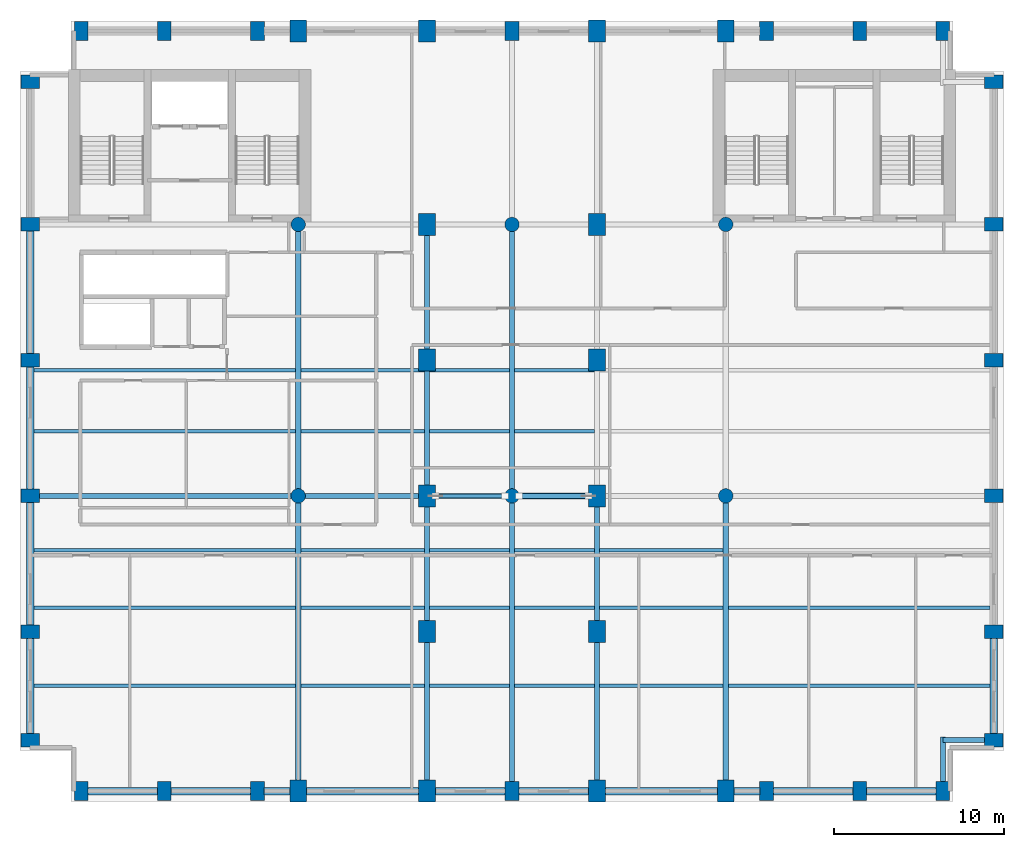
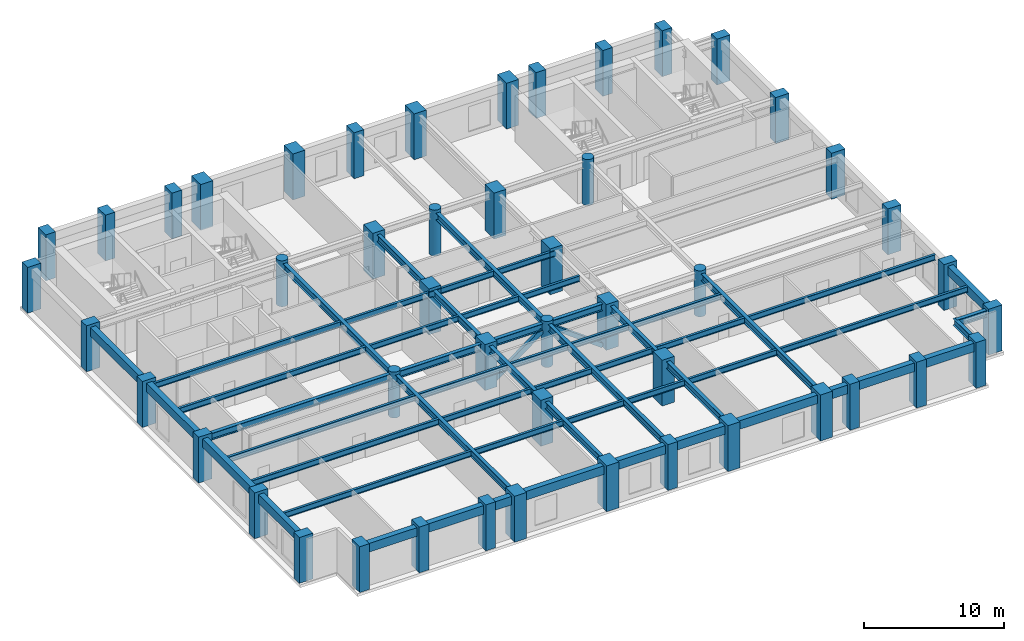
# One storey, part 1 of 10: 54 beams, 48 columns, 2 members.
"""IFC4 building model written with IfcOpenShell, lengths in metres."""

from ifc_helpers import new_model, si_unit, direction, frame, origin, origin_2d, place, context, subcontext, project, spatial, rectangle, hollow_rectangle, circle, i_section, extrude, material, material_profile, profile_set, type_object, element, save


model = new_model("IFC4")

# Units and contexts
model_context = context("Model", 3, precision=1e-05, world=origin(), true_north=direction((0.0, 1.0)))
body_context = subcontext(model_context, "Body", "Model", "MODEL_VIEW")
ifc_project = project(units=[si_unit("LENGTHUNIT", "METRE"), si_unit("AREAUNIT", "SQUARE_METRE"), si_unit("VOLUMEUNIT", "CUBIC_METRE"), si_unit("PLANEANGLEUNIT", "RADIAN"), si_unit("MASSUNIT", "GRAM", prefix="KILO")], contexts=[model_context])

# Site, building, storey
site_placement = place(None, origin())
site = spatial("IfcSite", under=ifc_project, at=site_placement, CompositionType="ELEMENT")
building_placement = place(site_placement, origin())
building = spatial("IfcBuilding", under=site, at=building_placement, Name="Sulina Concourse Tower", CompositionType="ELEMENT")
storey_placement = place(building_placement, frame((0.0, 0.0, 206.60009765625)))
storey = spatial("IfcBuildingStorey", under=building, at=storey_placement, Name="L50", CompositionType="ELEMENT", Elevation=206.60009765625)

# Columns
ifc_material_1 = material(Name="Precast concrete C60/75", Category="concrete")
ifc_material_profile_1 = material_profile(ifc_material_1, rectangle(XDim=0.800048828125, YDim=1.10009765625, at=origin_2d()), Name="PC 800x1100")
ifc_profile_set_1 = profile_set([ifc_material_profile_1], Name="Precast concrete C60/75")
column_type_1 = type_object("IfcColumnType", Name="Precast Tube Pier Zone 3 800x1100", PredefinedType="COLUMN", material=ifc_profile_set_1)
for number, where, z_axis, x_axis, name in (
    (1, (3.60009765625, 0.60009765625, 0.0), (0.0, 0.0, 1.0), (1.0, 0.0, 0.0), "L50 structural column TP-S-36"),
    (2, (3.60009765625, 45.39990234375, 0.0), (0.0, 0.0, 1.0), (1.0, 0.0, 0.0), "L50 structural column TP-N-36"),
    (3, (8.5, 0.60009765625, 0.0), (0.0, 0.0, 1.0), (1.0, 0.0, 0.0), "L50 structural column TP-S-85"),
    (4, (8.5, 45.39990234375, 0.0), (0.0, 0.0, 1.0), (1.0, 0.0, 0.0), "L50 structural column TP-N-85"),
    (5, (14.0, 0.60009765625, 0.0), (0.0, 0.0, 1.0), (1.0, 0.0, 0.0), "L50 structural column TP-S-140"),
    (6, (14.0, 45.39990234375, 0.0), (0.0, 0.0, 1.0), (1.0, 0.0, 0.0), "L50 structural column TP-N-140"),
    (7, (29.0, 0.60009765625, 0.0), (0.0, 0.0, 1.0), (1.0, 0.0, 0.0), "L50 structural column TP-S-290"),
    (8, (29.0, 45.39990234375, 0.0), (0.0, 0.0, 1.0), (1.0, 0.0, 0.0), "L50 structural column TP-N-290"),
    (9, (44.0, 0.60009765625, 0.0), (0.0, 0.0, 1.0), (1.0, 0.0, 0.0), "L50 structural column TP-S-440"),
    (10, (44.0, 45.39990234375, 0.0), (0.0, 0.0, 1.0), (1.0, 0.0, 0.0), "L50 structural column TP-N-440"),
    (11, (49.5, 0.60009765625, 0.0), (0.0, 0.0, 1.0), (1.0, 0.0, 0.0), "L50 structural column TP-S-495"),
    (12, (49.5, 45.39990234375, 0.0), (0.0, 0.0, 1.0), (1.0, 0.0, 0.0), "L50 structural column TP-N-495"),
    (13, (54.39990234375, 0.60009765625, 0.0), (0.0, 0.0, 1.0), (1.0, 0.0, 0.0), "L50 structural column TP-S-544"),
    (14, (54.39990234375, 45.39990234375, 0.0), (0.0, 0.0, 1.0), (1.0, 0.0, 0.0), "L50 structural column TP-N-544"),
    (15, (0.60009765625, 3.60009765625, 0.0), (0.0, 0.0, 1.0), (0.0, 1.0, 0.0), "L50 structural column TP-W-36"),
    (16, (57.39990234375, 3.60009765625, 0.0), (0.0, 0.0, 1.0), (0.0, 1.0, 0.0), "L50 structural column TP-E-36"),
    (17, (0.60009765625, 10.0, 0.0), (0.0, 0.0, 1.0), (0.0, 1.0, 0.0), "L50 structural column TP-W-100"),
    (18, (57.39990234375, 10.0, 0.0), (0.0, 0.0, 1.0), (0.0, 1.0, 0.0), "L50 structural column TP-E-100"),
    (19, (0.60009765625, 18.0, 0.0), (0.0, 0.0, 1.0), (0.0, 1.0, 0.0), "L50 structural column TP-W-180"),
    (20, (57.39990234375, 18.0, 0.0), (0.0, 0.0, 1.0), (0.0, 1.0, 0.0), "L50 structural column TP-E-180"),
    (21, (0.60009765625, 26.0, 0.0), (0.0, 0.0, 1.0), (0.0, 1.0, 0.0), "L50 structural column TP-W-260"),
    (22, (57.39990234375, 26.0, 0.0), (0.0, 0.0, 1.0), (0.0, 1.0, 0.0), "L50 structural column TP-E-260"),
    (23, (0.60009765625, 34.0, 0.0), (0.0, 0.0, 1.0), (0.0, 1.0, 0.0), "L50 structural column TP-W-340"),
    (24, (57.39990234375, 34.0, 0.0), (0.0, 0.0, 1.0), (0.0, 1.0, 0.0), "L50 structural column TP-E-340"),
    (25, (0.60009765625, 42.39990234375, 0.0), (0.0, 0.0, 1.0), (0.0, 1.0, 0.0), "L50 structural column TP-W-424"),
    (26, (57.39990234375, 42.39990234375, 0.0), (0.0, 0.0, 1.0), (0.0, 1.0, 0.0), "L50 structural column TP-E-424"),
):
    element("IfcColumn", number, at=place(storey_placement, frame(where, z_axis=z_axis, x_axis=x_axis)), inside=storey, type_object=column_type_1, Name=name, PredefinedType="COLUMN", context=body_context, shape_type="SweptSolid", body=[
        extrude(rectangle(XDim=0.800048828125, YDim=1.10009765625, at=origin_2d()), origin(), (0.0, 0.0, 1.0), 4.0),
    ])
ifc_material_2 = material(Name="Concrete C50/60", Category="concrete")
ifc_material_profile_2 = material_profile(ifc_material_2, circle(Radius=0.425048828125, at=origin_2d()), Name="RC D850")
ifc_profile_set_2 = profile_set([ifc_material_profile_2], Name="Concrete C50/60")
column_type_2 = type_object("IfcColumnType", Name="Upper Interior Circular Column D850", PredefinedType="COLUMN", material=ifc_profile_set_2)
for number, where, z_axis, x_axis, name in (
    (27, (16.39990234375, 18.0, 0.0), (0.0, 0.0, 1.0), (1.0, 0.0, 0.0), "L50 structural column IC-M-164"),
    (28, (16.39990234375, 34.0, 0.0), (0.0, 0.0, 1.0), (1.0, 0.0, 0.0), "L50 structural column IC-N-164"),
    (29, (29.0, 18.0, 0.0), (0.0, 0.0, 1.0), (1.0, 0.0, 0.0), "L50 structural column IC-M-290"),
    (30, (29.0, 34.0, 0.0), (0.0, 0.0, 1.0), (1.0, 0.0, 0.0), "L50 structural column IC-N-290"),
    (31, (41.60009765625, 18.0, 0.0), (0.0, 0.0, 1.0), (1.0, 0.0, 0.0), "L50 structural column IC-M-416"),
    (32, (41.60009765625, 34.0, 0.0), (0.0, 0.0, 1.0), (1.0, 0.0, 0.0), "L50 structural column IC-N-416"),
):
    element("IfcColumn", number, at=place(storey_placement, frame(where, z_axis=z_axis, x_axis=x_axis)), inside=storey, type_object=column_type_2, Name=name, PredefinedType="COLUMN", context=body_context, shape_type="SweptSolid", body=[
        extrude(circle(Radius=0.425048828125, at=origin_2d()), origin(), (0.0, 0.0, 1.0), 4.0),
    ])
ifc_material_3 = material(Name="Concrete C60/75", Category="concrete")
ifc_material_profile_3 = material_profile(ifc_material_3, rectangle(XDim=1.0, YDim=1.300048828125, at=origin_2d()), Name="RC 1000x1300")
ifc_profile_set_3 = profile_set([ifc_material_profile_3], Name="Concrete C60/75")
column_type_3 = type_object("IfcColumnType", Name="Upper Portal Column 1000x1300", PredefinedType="COLUMN", material=ifc_profile_set_3)
for number, where, z_axis, x_axis, name in (
    (33, (16.39990234375, 0.60009765625, 0.0), (0.0, 0.0, 1.0), (1.0, 0.0, 0.0), "L50 structural column TP-S-164"),
    (34, (16.39990234375, 45.39990234375, 0.0), (0.0, 0.0, 1.0), (1.0, 0.0, 0.0), "L50 structural column TP-N-164"),
    (35, (24.0, 0.60009765625, 0.0), (0.0, 0.0, 1.0), (1.0, 0.0, 0.0), "L50 structural column TP-S-240"),
    (36, (24.0, 45.39990234375, 0.0), (0.0, 0.0, 1.0), (1.0, 0.0, 0.0), "L50 structural column TP-N-240"),
    (37, (34.0, 0.60009765625, 0.0), (0.0, 0.0, 1.0), (1.0, 0.0, 0.0), "L50 structural column TP-S-340"),
    (38, (34.0, 45.39990234375, 0.0), (0.0, 0.0, 1.0), (1.0, 0.0, 0.0), "L50 structural column TP-N-340"),
    (39, (41.60009765625, 0.60009765625, 0.0), (0.0, 0.0, 1.0), (1.0, 0.0, 0.0), "L50 structural column TP-S-416"),
    (40, (41.60009765625, 45.39990234375, 0.0), (0.0, 0.0, 1.0), (1.0, 0.0, 0.0), "L50 structural column TP-N-416"),
    (41, (24.0, 10.0, 0.0), (0.0, 0.0, 1.0), (1.0, 0.0, 0.0), "L50 structural column UP-FW-10"),
    (42, (34.0, 10.0, 0.0), (0.0, 0.0, 1.0), (1.0, 0.0, 0.0), "L50 structural column UP-FE-10"),
    (43, (24.0, 18.0, 0.0), (0.0, 0.0, 1.0), (1.0, 0.0, 0.0), "L50 structural column UP-FW-18"),
    (44, (34.0, 18.0, 0.0), (0.0, 0.0, 1.0), (1.0, 0.0, 0.0), "L50 structural column UP-FE-18"),
    (45, (24.0, 26.0, 0.0), (0.0, 0.0, 1.0), (1.0, 0.0, 0.0), "L50 structural column UP-FW-26"),
    (46, (34.0, 26.0, 0.0), (0.0, 0.0, 1.0), (1.0, 0.0, 0.0), "L50 structural column UP-FE-26"),
    (47, (24.0, 34.0, 0.0), (0.0, 0.0, 1.0), (1.0, 0.0, 0.0), "L50 structural column UP-FW-34"),
    (48, (34.0, 34.0, 0.0), (0.0, 0.0, 1.0), (1.0, 0.0, 0.0), "L50 structural column UP-FE-34"),
):
    element("IfcColumn", number, at=place(storey_placement, frame(where, z_axis=z_axis, x_axis=x_axis)), inside=storey, type_object=column_type_3, Name=name, PredefinedType="COLUMN", context=body_context, shape_type="SweptSolid", body=[
        extrude(rectangle(XDim=1.0, YDim=1.300048828125, at=origin_2d()), origin(), (0.0, 0.0, 1.0), 4.0),
    ])

# Beams
ifc_material_4 = material(Name="Steel S355", Category="steel")
ifc_material_profile_4 = material_profile(ifc_material_4, i_section(OverallWidth=0.199951171875, OverallDepth=0.5, WebThickness=0.01025390625, FlangeThickness=0.01611328125, at=origin_2d()), Name="IPE 500")
ifc_profile_set_4 = profile_set([ifc_material_profile_4], Name="Steel S355")
beam_type_1 = type_object("IfcBeamType", Name="Composite Floor Joist IPE500", PredefinedType="JOIST", material=ifc_profile_set_4)
beam_1_placement = place(storey_placement, frame((0.824951171875, 6.800048828125, 3.5), z_axis=(1.0, 0.0, 0.0), x_axis=(0.0, 1.0, 0.0)))
element("IfcBeam", 49, at=beam_1_placement, inside=storey, type_object=beam_type_1, Name="FJ-J06-1-L50", PredefinedType="JOIST", context=body_context, shape_type="SweptSolid", body=[
    extrude(i_section(OverallWidth=0.199951171875, OverallDepth=0.5, WebThickness=0.01025390625, FlangeThickness=0.01611328125, at=origin_2d()), origin(), (0.0, 0.0, 1.0), 15.425048828125),
])
beam_2_placement = place(storey_placement, frame((16.550048828125, 6.800048828125, 3.5), z_axis=(1.0, 0.0, 0.0), x_axis=(0.0, 1.0, 0.0)))
element("IfcBeam", 50, at=beam_2_placement, inside=storey, type_object=beam_type_1, Name="FJ-J06-2-L50", PredefinedType="JOIST", context=body_context, shape_type="SweptSolid", body=[
    extrude(i_section(OverallWidth=0.199951171875, OverallDepth=0.5, WebThickness=0.01025390625, FlangeThickness=0.01611328125, at=origin_2d()), origin(), (0.0, 0.0, 1.0), 7.300048828125),
])
for number, where, z_axis, x_axis, name in (
    (51, (24.14990234375, 6.800048828125, 3.5), (1.0, 0.0, 0.0), (0.0, 1.0, 0.0), "FJ-J06-3-L50"),
    (52, (29.14990234375, 6.800048828125, 3.5), (1.0, 0.0, 0.0), (0.0, 1.0, 0.0), "FJ-J06-4-L50"),
):
    element("IfcBeam", number, at=place(storey_placement, frame(where, z_axis=z_axis, x_axis=x_axis)), inside=storey, type_object=beam_type_1, Name=name, PredefinedType="JOIST", context=body_context, shape_type="SweptSolid", body=[
        extrude(i_section(OverallWidth=0.199951171875, OverallDepth=0.5, WebThickness=0.01025390625, FlangeThickness=0.01611328125, at=origin_2d()), origin(), (0.0, 0.0, 1.0), 4.7001953125),
    ])
beam_3_placement = place(storey_placement, frame((34.14990234375, 6.800048828125, 3.5), z_axis=(1.0, 0.0, 0.0), x_axis=(0.0, 1.0, 0.0)))
element("IfcBeam", 53, at=beam_3_placement, inside=storey, type_object=beam_type_1, Name="FJ-J06-5-L50", PredefinedType="JOIST", context=body_context, shape_type="SweptSolid", body=[
    extrude(i_section(OverallWidth=0.199951171875, OverallDepth=0.5, WebThickness=0.01025390625, FlangeThickness=0.01611328125, at=origin_2d()), origin(), (0.0, 0.0, 1.0), 7.300048828125),
])
for number, where, z_axis, x_axis, name in (
    (54, (41.75, 6.800048828125, 3.5), (1.0, 0.0, 0.0), (0.0, 1.0, 0.0), "FJ-J06-6-L50"),
    (55, (0.824951171875, 11.39990234375, 3.5), (1.0, 0.0, 0.0), (0.0, 1.0, 0.0), "FJ-J11-1-L50"),
):
    element("IfcBeam", number, at=place(storey_placement, frame(where, z_axis=z_axis, x_axis=x_axis)), inside=storey, type_object=beam_type_1, Name=name, PredefinedType="JOIST", context=body_context, shape_type="SweptSolid", body=[
        extrude(i_section(OverallWidth=0.199951171875, OverallDepth=0.5, WebThickness=0.01025390625, FlangeThickness=0.01611328125, at=origin_2d()), origin(), (0.0, 0.0, 1.0), 15.425048828125),
    ])
beam_4_placement = place(storey_placement, frame((16.550048828125, 11.39990234375, 3.5), z_axis=(1.0, 0.0, 0.0), x_axis=(0.0, 1.0, 0.0)))
element("IfcBeam", 56, at=beam_4_placement, inside=storey, type_object=beam_type_1, Name="FJ-J11-2-L50", PredefinedType="JOIST", context=body_context, shape_type="SweptSolid", body=[
    extrude(i_section(OverallWidth=0.199951171875, OverallDepth=0.5, WebThickness=0.01025390625, FlangeThickness=0.01611328125, at=origin_2d()), origin(), (0.0, 0.0, 1.0), 7.300048828125),
])
for number, where, z_axis, x_axis, name in (
    (57, (24.14990234375, 11.39990234375, 3.5), (1.0, 0.0, 0.0), (0.0, 1.0, 0.0), "FJ-J11-3-L50"),
    (58, (29.14990234375, 11.39990234375, 3.5), (1.0, 0.0, 0.0), (0.0, 1.0, 0.0), "FJ-J11-4-L50"),
):
    element("IfcBeam", number, at=place(storey_placement, frame(where, z_axis=z_axis, x_axis=x_axis)), inside=storey, type_object=beam_type_1, Name=name, PredefinedType="JOIST", context=body_context, shape_type="SweptSolid", body=[
        extrude(i_section(OverallWidth=0.199951171875, OverallDepth=0.5, WebThickness=0.01025390625, FlangeThickness=0.01611328125, at=origin_2d()), origin(), (0.0, 0.0, 1.0), 4.7001953125),
    ])
beam_5_placement = place(storey_placement, frame((34.14990234375, 11.39990234375, 3.5), z_axis=(1.0, 0.0, 0.0), x_axis=(0.0, 1.0, 0.0)))
element("IfcBeam", 59, at=beam_5_placement, inside=storey, type_object=beam_type_1, Name="FJ-J11-5-L50", PredefinedType="JOIST", context=body_context, shape_type="SweptSolid", body=[
    extrude(i_section(OverallWidth=0.199951171875, OverallDepth=0.5, WebThickness=0.01025390625, FlangeThickness=0.01611328125, at=origin_2d()), origin(), (0.0, 0.0, 1.0), 7.300048828125),
])
for number, where, z_axis, x_axis, name in (
    (60, (41.75, 11.39990234375, 3.5), (1.0, 0.0, 0.0), (0.0, 1.0, 0.0), "FJ-J11-6-L50"),
    (61, (0.824951171875, 14.800048828125, 3.5), (1.0, 0.0, 0.0), (0.0, 1.0, 0.0), "FJ-J15-1-L50"),
):
    element("IfcBeam", number, at=place(storey_placement, frame(where, z_axis=z_axis, x_axis=x_axis)), inside=storey, type_object=beam_type_1, Name=name, PredefinedType="JOIST", context=body_context, shape_type="SweptSolid", body=[
        extrude(i_section(OverallWidth=0.199951171875, OverallDepth=0.5, WebThickness=0.01025390625, FlangeThickness=0.01611328125, at=origin_2d()), origin(), (0.0, 0.0, 1.0), 15.425048828125),
    ])
beam_6_placement = place(storey_placement, frame((16.550048828125, 14.800048828125, 3.5), z_axis=(1.0, 0.0, 0.0), x_axis=(0.0, 1.0, 0.0)))
element("IfcBeam", 62, at=beam_6_placement, inside=storey, type_object=beam_type_1, Name="FJ-J15-2-L50", PredefinedType="JOIST", context=body_context, shape_type="SweptSolid", body=[
    extrude(i_section(OverallWidth=0.199951171875, OverallDepth=0.5, WebThickness=0.01025390625, FlangeThickness=0.01611328125, at=origin_2d()), origin(), (0.0, 0.0, 1.0), 7.300048828125),
])
for number, where, z_axis, x_axis, name in (
    (63, (24.14990234375, 14.800048828125, 3.5), (1.0, 0.0, 0.0), (0.0, 1.0, 0.0), "FJ-J15-3-L50"),
    (64, (29.14990234375, 14.800048828125, 3.5), (1.0, 0.0, 0.0), (0.0, 1.0, 0.0), "FJ-J15-4-L50"),
):
    element("IfcBeam", number, at=place(storey_placement, frame(where, z_axis=z_axis, x_axis=x_axis)), inside=storey, type_object=beam_type_1, Name=name, PredefinedType="JOIST", context=body_context, shape_type="SweptSolid", body=[
        extrude(i_section(OverallWidth=0.199951171875, OverallDepth=0.5, WebThickness=0.01025390625, FlangeThickness=0.01611328125, at=origin_2d()), origin(), (0.0, 0.0, 1.0), 4.7001953125),
    ])
beam_7_placement = place(storey_placement, frame((34.14990234375, 14.800048828125, 3.5), z_axis=(1.0, 0.0, 0.0), x_axis=(0.0, 1.0, 0.0)))
element("IfcBeam", 65, at=beam_7_placement, inside=storey, type_object=beam_type_1, Name="FJ-J15-5-L50", PredefinedType="JOIST", context=body_context, shape_type="SweptSolid", body=[
    extrude(i_section(OverallWidth=0.199951171875, OverallDepth=0.5, WebThickness=0.01025390625, FlangeThickness=0.01611328125, at=origin_2d()), origin(), (0.0, 0.0, 1.0), 7.300048828125),
])
beam_8_placement = place(storey_placement, frame((0.824951171875, 21.800048828125, 3.5), z_axis=(1.0, 0.0, 0.0), x_axis=(0.0, 1.0, 0.0)))
element("IfcBeam", 66, at=beam_8_placement, inside=storey, type_object=beam_type_1, Name="FJ-J22-1-L50", PredefinedType="JOIST", context=body_context, shape_type="SweptSolid", body=[
    extrude(i_section(OverallWidth=0.199951171875, OverallDepth=0.5, WebThickness=0.01025390625, FlangeThickness=0.01611328125, at=origin_2d()), origin(), (0.0, 0.0, 1.0), 15.425048828125),
])
beam_9_placement = place(storey_placement, frame((16.550048828125, 21.800048828125, 3.5), z_axis=(1.0, 0.0, 0.0), x_axis=(0.0, 1.0, 0.0)))
element("IfcBeam", 67, at=beam_9_placement, inside=storey, type_object=beam_type_1, Name="FJ-J22-2-L50", PredefinedType="JOIST", context=body_context, shape_type="SweptSolid", body=[
    extrude(i_section(OverallWidth=0.199951171875, OverallDepth=0.5, WebThickness=0.01025390625, FlangeThickness=0.01611328125, at=origin_2d()), origin(), (0.0, 0.0, 1.0), 7.300048828125),
])
for number, where, z_axis, x_axis, name in (
    (68, (24.14990234375, 21.800048828125, 3.5), (1.0, 0.0, 0.0), (0.0, 1.0, 0.0), "FJ-J22-3-L50"),
    (69, (29.14990234375, 21.800048828125, 3.5), (1.0, 0.0, 0.0), (0.0, 1.0, 0.0), "FJ-J22-4-L50"),
):
    element("IfcBeam", number, at=place(storey_placement, frame(where, z_axis=z_axis, x_axis=x_axis)), inside=storey, type_object=beam_type_1, Name=name, PredefinedType="JOIST", context=body_context, shape_type="SweptSolid", body=[
        extrude(i_section(OverallWidth=0.199951171875, OverallDepth=0.5, WebThickness=0.01025390625, FlangeThickness=0.01611328125, at=origin_2d()), origin(), (0.0, 0.0, 1.0), 4.7001953125),
    ])
beam_10_placement = place(storey_placement, frame((0.824951171875, 25.39990234375, 3.5), z_axis=(1.0, 0.0, 0.0), x_axis=(0.0, 1.0, 0.0)))
element("IfcBeam", 70, at=beam_10_placement, inside=storey, type_object=beam_type_1, Name="FJ-J25-1-L50", PredefinedType="JOIST", context=body_context, shape_type="SweptSolid", body=[
    extrude(i_section(OverallWidth=0.199951171875, OverallDepth=0.5, WebThickness=0.01025390625, FlangeThickness=0.01611328125, at=origin_2d()), origin(), (0.0, 0.0, 1.0), 15.425048828125),
])
beam_11_placement = place(storey_placement, frame((16.550048828125, 25.39990234375, 3.5), z_axis=(1.0, 0.0, 0.0), x_axis=(0.0, 1.0, 0.0)))
element("IfcBeam", 71, at=beam_11_placement, inside=storey, type_object=beam_type_1, Name="FJ-J25-2-L50", PredefinedType="JOIST", context=body_context, shape_type="SweptSolid", body=[
    extrude(i_section(OverallWidth=0.199951171875, OverallDepth=0.5, WebThickness=0.01025390625, FlangeThickness=0.01611328125, at=origin_2d()), origin(), (0.0, 0.0, 1.0), 7.300048828125),
])
for number, where, z_axis, x_axis, name in (
    (72, (24.14990234375, 25.39990234375, 3.5), (1.0, 0.0, 0.0), (0.0, 1.0, 0.0), "FJ-J25-3-L50"),
    (73, (29.14990234375, 25.39990234375, 3.5), (1.0, 0.0, 0.0), (0.0, 1.0, 0.0), "FJ-J25-4-L50"),
):
    element("IfcBeam", number, at=place(storey_placement, frame(where, z_axis=z_axis, x_axis=x_axis)), inside=storey, type_object=beam_type_1, Name=name, PredefinedType="JOIST", context=body_context, shape_type="SweptSolid", body=[
        extrude(i_section(OverallWidth=0.199951171875, OverallDepth=0.5, WebThickness=0.01025390625, FlangeThickness=0.01611328125, at=origin_2d()), origin(), (0.0, 0.0, 1.0), 4.7001953125),
    ])
ifc_material_5 = material(Name="Steel S355", Category="steel")
ifc_material_profile_5 = material_profile(ifc_material_5, i_section(OverallWidth=0.300048828125, OverallDepth=0.60009765625, WebThickness=0.015380859375, FlangeThickness=0.030029296875, at=origin_2d()), Name="HE 600 B")
ifc_profile_set_5 = profile_set([ifc_material_profile_5], Name="Steel S355")
beam_type_2 = type_object("IfcBeamType", Name="Floor Primary Girder Zone 3 HE600B", PredefinedType="BEAM", material=ifc_profile_set_5)
beam_12_placement = place(storey_placement, frame((54.39990234375, 3.60009765625, 3.449951171875), z_axis=(1.0, 0.0, 0.0), x_axis=(0.0, 1.0, 0.0)))
element("IfcBeam", 74, at=beam_12_placement, inside=storey, type_object=beam_type_2, Name="TIE-SE-L50", PredefinedType="BEAM", context=body_context, shape_type="SweptSolid", body=[
    extrude(i_section(OverallWidth=0.300048828125, OverallDepth=0.60009765625, WebThickness=0.015380859375, FlangeThickness=0.030029296875, at=origin_2d()), origin(), (0.0, 0.0, 1.0), 2.6201171875),
])
beam_13_placement = place(storey_placement, frame((54.39990234375, 0.97998046875, 3.449951171875), z_axis=(0.0, 1.0, 0.0), x_axis=(-1.0, 0.0, 0.0)))
element("IfcBeam", 75, at=beam_13_placement, inside=storey, type_object=beam_type_2, Name="TIE-SES-L50", PredefinedType="BEAM", context=body_context, shape_type="SweptSolid", body=[
    extrude(i_section(OverallWidth=0.300048828125, OverallDepth=0.60009765625, WebThickness=0.015380859375, FlangeThickness=0.030029296875, at=origin_2d()), origin(), (0.0, 0.0, 1.0), 2.820068359375),
])
beam_14_placement = place(storey_placement, frame((0.97998046875, 18.0, 3.449951171875), z_axis=(1.0, 0.0, 0.0), x_axis=(0.0, 1.0, 0.0)))
element("IfcBeam", 76, at=beam_14_placement, inside=storey, type_object=beam_type_2, Name="FG-EW1-L50", PredefinedType="BEAM", context=body_context, shape_type="SweptSolid", body=[
    extrude(i_section(OverallWidth=0.300048828125, OverallDepth=0.60009765625, WebThickness=0.015380859375, FlangeThickness=0.030029296875, at=origin_2d()), origin(), (0.0, 0.0, 1.0), 15.01513671875),
])
beam_15_placement = place(storey_placement, frame((16.804931640625, 18.0, 3.449951171875), z_axis=(1.0, 0.0, 0.0), x_axis=(0.0, 1.0, 0.0)))
element("IfcBeam", 77, at=beam_15_placement, inside=storey, type_object=beam_type_2, Name="FG-EW2-L50", PredefinedType="BEAM", context=body_context, shape_type="SweptSolid", body=[
    extrude(i_section(OverallWidth=0.300048828125, OverallDepth=0.60009765625, WebThickness=0.015380859375, FlangeThickness=0.030029296875, at=origin_2d()), origin(), (0.0, 0.0, 1.0), 6.715087890625),
])
for number, where, z_axis, x_axis, name in (
    (78, (24.47998046875, 18.0, 3.449951171875), (1.0, 0.0, 0.0), (0.0, 1.0, 0.0), "FG-EW3-L50"),
    (79, (29.405029296875, 18.0, 3.449951171875), (1.0, 0.0, 0.0), (0.0, 1.0, 0.0), "FG-EW4-L50"),
):
    element("IfcBeam", number, at=place(storey_placement, frame(where, z_axis=z_axis, x_axis=x_axis)), inside=storey, type_object=beam_type_2, Name=name, PredefinedType="BEAM", context=body_context, shape_type="SweptSolid", body=[
        extrude(i_section(OverallWidth=0.300048828125, OverallDepth=0.60009765625, WebThickness=0.015380859375, FlangeThickness=0.030029296875, at=origin_2d()), origin(), (0.0, 0.0, 1.0), 4.114990234375),
    ])
beam_16_placement = place(storey_placement, frame((16.39990234375, 1.080078125, 3.449951171875), z_axis=(0.0, 1.0, 0.0), x_axis=(-1.0, 0.0, 0.0)))
element("IfcBeam", 80, at=beam_16_placement, inside=storey, type_object=beam_type_2, Name="FG-NSA-16-L50", PredefinedType="BEAM", context=body_context, shape_type="SweptSolid", body=[
    extrude(i_section(OverallWidth=0.300048828125, OverallDepth=0.60009765625, WebThickness=0.015380859375, FlangeThickness=0.030029296875, at=origin_2d()), origin(), (0.0, 0.0, 1.0), 16.514892578125),
])
beam_17_placement = place(storey_placement, frame((16.39990234375, 18.405029296875, 3.449951171875), z_axis=(0.0, 1.0, 0.0), x_axis=(-1.0, 0.0, 0.0)))
element("IfcBeam", 81, at=beam_17_placement, inside=storey, type_object=beam_type_2, Name="FG-NSB-16-L50", PredefinedType="BEAM", context=body_context, shape_type="SweptSolid", body=[
    extrude(i_section(OverallWidth=0.300048828125, OverallDepth=0.60009765625, WebThickness=0.015380859375, FlangeThickness=0.030029296875, at=origin_2d()), origin(), (0.0, 0.0, 1.0), 15.18994140625),
])
beam_18_placement = place(storey_placement, frame((24.0, 1.080078125, 3.449951171875), z_axis=(0.0, 1.0, 0.0), x_axis=(-1.0, 0.0, 0.0)))
element("IfcBeam", 82, at=beam_18_placement, inside=storey, type_object=beam_type_2, Name="FG-NSA-24-L50", PredefinedType="BEAM", context=body_context, shape_type="SweptSolid", body=[
    extrude(i_section(OverallWidth=0.300048828125, OverallDepth=0.60009765625, WebThickness=0.015380859375, FlangeThickness=0.030029296875, at=origin_2d()), origin(), (0.0, 0.0, 1.0), 16.43994140625),
])
beam_19_placement = place(storey_placement, frame((24.0, 18.47998046875, 3.449951171875), z_axis=(0.0, 1.0, 0.0), x_axis=(-1.0, 0.0, 0.0)))
element("IfcBeam", 83, at=beam_19_placement, inside=storey, type_object=beam_type_2, Name="FG-NSB-24-L50", PredefinedType="BEAM", context=body_context, shape_type="SweptSolid", body=[
    extrude(i_section(OverallWidth=0.300048828125, OverallDepth=0.60009765625, WebThickness=0.015380859375, FlangeThickness=0.030029296875, at=origin_2d()), origin(), (0.0, 0.0, 1.0), 15.0400390625),
])
beam_20_placement = place(storey_placement, frame((29.0, 0.97998046875, 3.449951171875), z_axis=(0.0, 1.0, 0.0), x_axis=(-1.0, 0.0, 0.0)))
element("IfcBeam", 84, at=beam_20_placement, inside=storey, type_object=beam_type_2, Name="FG-NSA-29-L50", PredefinedType="BEAM", context=body_context, shape_type="SweptSolid", body=[
    extrude(i_section(OverallWidth=0.300048828125, OverallDepth=0.60009765625, WebThickness=0.015380859375, FlangeThickness=0.030029296875, at=origin_2d()), origin(), (0.0, 0.0, 1.0), 16.614990234375),
])
beam_21_placement = place(storey_placement, frame((29.0, 18.405029296875, 3.449951171875), z_axis=(0.0, 1.0, 0.0), x_axis=(-1.0, 0.0, 0.0)))
element("IfcBeam", 85, at=beam_21_placement, inside=storey, type_object=beam_type_2, Name="FG-NSB-29-L50", PredefinedType="BEAM", context=body_context, shape_type="SweptSolid", body=[
    extrude(i_section(OverallWidth=0.300048828125, OverallDepth=0.60009765625, WebThickness=0.015380859375, FlangeThickness=0.030029296875, at=origin_2d()), origin(), (0.0, 0.0, 1.0), 15.18994140625),
])
beam_22_placement = place(storey_placement, frame((34.0, 1.080078125, 3.449951171875), z_axis=(0.0, 1.0, 0.0), x_axis=(-1.0, 0.0, 0.0)))
element("IfcBeam", 86, at=beam_22_placement, inside=storey, type_object=beam_type_2, Name="FG-NSA-34-L50", PredefinedType="BEAM", context=body_context, shape_type="SweptSolid", body=[
    extrude(i_section(OverallWidth=0.300048828125, OverallDepth=0.60009765625, WebThickness=0.015380859375, FlangeThickness=0.030029296875, at=origin_2d()), origin(), (0.0, 0.0, 1.0), 16.43994140625),
])
beam_23_placement = place(storey_placement, frame((41.60009765625, 1.080078125, 3.449951171875), z_axis=(0.0, 1.0, 0.0), x_axis=(-1.0, 0.0, 0.0)))
element("IfcBeam", 87, at=beam_23_placement, inside=storey, type_object=beam_type_2, Name="FG-NSA-41-L50", PredefinedType="BEAM", context=body_context, shape_type="SweptSolid", body=[
    extrude(i_section(OverallWidth=0.300048828125, OverallDepth=0.60009765625, WebThickness=0.015380859375, FlangeThickness=0.030029296875, at=origin_2d()), origin(), (0.0, 0.0, 1.0), 16.514892578125),
])
ifc_material_6 = material(Name="Precast concrete C50/60", Category="concrete")
ifc_material_profile_6 = material_profile(ifc_material_6, rectangle(XDim=0.449951171875, YDim=0.75, at=origin_2d()), Name="RC 450x750")
ifc_profile_set_6 = profile_set([ifc_material_profile_6], Name="Precast concrete C50/60")
beam_type_3 = type_object("IfcBeamType", Name="Upper Precast Spandrel Edge Beam 450x750", PredefinedType="BEAM", material=ifc_profile_set_6)
beam_24_placement = place(storey_placement, frame((3.97998046875, 0.60009765625, 3.375), z_axis=(1.0, 0.0, 0.0), x_axis=(0.0, 1.0, 0.0)))
element("IfcBeam", 88, at=beam_24_placement, inside=storey, type_object=beam_type_3, Name="SP-S1-L50", PredefinedType="BEAM", context=body_context, shape_type="SweptSolid", body=[
    extrude(rectangle(XDim=0.449951171875, YDim=0.75, at=origin_2d()), origin(), (0.0, 0.0, 1.0), 4.14013671875),
])
beam_25_placement = place(storey_placement, frame((8.8798828125, 0.60009765625, 3.375), z_axis=(1.0, 0.0, 0.0), x_axis=(0.0, 1.0, 0.0)))
element("IfcBeam", 89, at=beam_25_placement, inside=storey, type_object=beam_type_3, Name="SP-S2-L50", PredefinedType="BEAM", context=body_context, shape_type="SweptSolid", body=[
    extrude(rectangle(XDim=0.449951171875, YDim=0.75, at=origin_2d()), origin(), (0.0, 0.0, 1.0), 4.740234375),
])
beam_26_placement = place(storey_placement, frame((14.3798828125, 0.60009765625, 3.375), z_axis=(1.0, 0.0, 0.0), x_axis=(0.0, 1.0, 0.0)))
element("IfcBeam", 90, at=beam_26_placement, inside=storey, type_object=beam_type_3, Name="SP-S3-L50", PredefinedType="BEAM", context=body_context, shape_type="SweptSolid", body=[
    extrude(rectangle(XDim=0.449951171875, YDim=0.75, at=origin_2d()), origin(), (0.0, 0.0, 1.0), 1.5400390625),
])
beam_27_placement = place(storey_placement, frame((16.8798828125, 0.60009765625, 3.375), z_axis=(1.0, 0.0, 0.0), x_axis=(0.0, 1.0, 0.0)))
element("IfcBeam", 91, at=beam_27_placement, inside=storey, type_object=beam_type_3, Name="SP-S4-L50", PredefinedType="BEAM", context=body_context, shape_type="SweptSolid", body=[
    extrude(rectangle(XDim=0.449951171875, YDim=0.75, at=origin_2d()), origin(), (0.0, 0.0, 1.0), 6.64013671875),
])
for number, where, z_axis, x_axis, name in (
    (92, (24.47998046875, 0.60009765625, 3.375), (1.0, 0.0, 0.0), (0.0, 1.0, 0.0), "SP-S5-L50"),
    (93, (29.3798828125, 0.60009765625, 3.375), (1.0, 0.0, 0.0), (0.0, 1.0, 0.0), "SP-S6-L50"),
):
    element("IfcBeam", number, at=place(storey_placement, frame(where, z_axis=z_axis, x_axis=x_axis)), inside=storey, type_object=beam_type_3, Name=name, PredefinedType="BEAM", context=body_context, shape_type="SweptSolid", body=[
        extrude(rectangle(XDim=0.449951171875, YDim=0.75, at=origin_2d()), origin(), (0.0, 0.0, 1.0), 4.14013671875),
    ])
beam_28_placement = place(storey_placement, frame((34.47998046875, 0.60009765625, 3.375), z_axis=(1.0, 0.0, 0.0), x_axis=(0.0, 1.0, 0.0)))
element("IfcBeam", 94, at=beam_28_placement, inside=storey, type_object=beam_type_3, Name="SP-S7-L50", PredefinedType="BEAM", context=body_context, shape_type="SweptSolid", body=[
    extrude(rectangle(XDim=0.449951171875, YDim=0.75, at=origin_2d()), origin(), (0.0, 0.0, 1.0), 6.64013671875),
])
beam_29_placement = place(storey_placement, frame((42.080078125, 0.60009765625, 3.375), z_axis=(1.0, 0.0, 0.0), x_axis=(0.0, 1.0, 0.0)))
element("IfcBeam", 95, at=beam_29_placement, inside=storey, type_object=beam_type_3, Name="SP-S8-L50", PredefinedType="BEAM", context=body_context, shape_type="SweptSolid", body=[
    extrude(rectangle(XDim=0.449951171875, YDim=0.75, at=origin_2d()), origin(), (0.0, 0.0, 1.0), 1.5400390625),
])
beam_30_placement = place(storey_placement, frame((44.3798828125, 0.60009765625, 3.375), z_axis=(1.0, 0.0, 0.0), x_axis=(0.0, 1.0, 0.0)))
element("IfcBeam", 96, at=beam_30_placement, inside=storey, type_object=beam_type_3, Name="SP-S9-L50", PredefinedType="BEAM", context=body_context, shape_type="SweptSolid", body=[
    extrude(rectangle(XDim=0.449951171875, YDim=0.75, at=origin_2d()), origin(), (0.0, 0.0, 1.0), 4.740234375),
])
beam_31_placement = place(storey_placement, frame((49.8798828125, 0.60009765625, 3.375), z_axis=(1.0, 0.0, 0.0), x_axis=(0.0, 1.0, 0.0)))
element("IfcBeam", 97, at=beam_31_placement, inside=storey, type_object=beam_type_3, Name="SP-S10-L50", PredefinedType="BEAM", context=body_context, shape_type="SweptSolid", body=[
    extrude(rectangle(XDim=0.449951171875, YDim=0.75, at=origin_2d()), origin(), (0.0, 0.0, 1.0), 4.14013671875),
])
beam_32_placement = place(storey_placement, frame((0.60009765625, 3.97998046875, 3.375), z_axis=(0.0, 1.0, 0.0), x_axis=(-1.0, 0.0, 0.0)))
element("IfcBeam", 98, at=beam_32_placement, inside=storey, type_object=beam_type_3, Name="SP-W1-L50", PredefinedType="BEAM", context=body_context, shape_type="SweptSolid", body=[
    extrude(rectangle(XDim=0.449951171875, YDim=0.75, at=origin_2d()), origin(), (0.0, 0.0, 1.0), 5.64013671875),
])
for number, where, z_axis, x_axis, name in (
    (99, (0.60009765625, 10.3798828125, 3.375), (0.0, 1.0, 0.0), (-1.0, 0.0, 0.0), "SP-W2-L50"),
    (100, (0.60009765625, 18.3798828125, 3.375), (0.0, 1.0, 0.0), (-1.0, 0.0, 0.0), "SP-W3-L50"),
    (101, (0.60009765625, 26.3798828125, 3.375), (0.0, 1.0, 0.0), (-1.0, 0.0, 0.0), "SP-W4-L50"),
):
    element("IfcBeam", number, at=place(storey_placement, frame(where, z_axis=z_axis, x_axis=x_axis)), inside=storey, type_object=beam_type_3, Name=name, PredefinedType="BEAM", context=body_context, shape_type="SweptSolid", body=[
        extrude(rectangle(XDim=0.449951171875, YDim=0.75, at=origin_2d()), origin(), (0.0, 0.0, 1.0), 7.240234375),
    ])
beam_33_placement = place(storey_placement, frame((57.39990234375, 3.97998046875, 3.375), z_axis=(0.0, 1.0, 0.0), x_axis=(-1.0, 0.0, 0.0)))
element("IfcBeam", 102, at=beam_33_placement, inside=storey, type_object=beam_type_3, Name="SP-E1-L50", PredefinedType="BEAM", context=body_context, shape_type="SweptSolid", body=[
    extrude(rectangle(XDim=0.449951171875, YDim=0.75, at=origin_2d()), origin(), (0.0, 0.0, 1.0), 5.64013671875),
])

# Members
ifc_material_7 = material(Name="Steel S355", Category="steel")
ifc_material_profile_7 = material_profile(ifc_material_7, hollow_rectangle(XDim=0.25, YDim=0.449951171875, WallThickness=0.01611328125, at=origin_2d()), Name="RHS 450x250x16")
ifc_profile_set_7 = profile_set([ifc_material_profile_7], Name="Steel S355")
member_type_1 = type_object("IfcMemberType", Name="Upper Wind-Portal Diagonal RHS450x250x16", PredefinedType="BRACE", material=ifc_profile_set_7)
member_1_placement = place(storey_placement, frame((24.489990234375, 18.0, 0.119873046875), z_axis=(0.804804914249, 0.0, 0.593539425819), x_axis=(0.0, 1.0, 0.0)))
element("IfcMember", 103, at=member_1_placement, inside=storey, type_object=member_type_1, Name="UBT-DG-1-L50", PredefinedType="BRACE", context=body_context, shape_type="SweptSolid", body=[
    extrude(hollow_rectangle(XDim=0.25, YDim=0.449951171875, WallThickness=0.01611328125, at=origin_2d()), origin(), (0.0, 0.0, 1.0), 5.088134765625),
])
ifc_material_8 = material(Name="Steel S355", Category="steel")
ifc_material_profile_8 = material_profile(ifc_material_8, hollow_rectangle(XDim=0.35009765625, YDim=0.35009765625, WallThickness=0.01611328125, at=origin_2d()), Name="SHS 350x350x16")
ifc_profile_set_8 = profile_set([ifc_material_profile_8], Name="Steel S355")
member_type_2 = type_object("IfcMemberType", Name="Upper Wind-Portal Web Brace SHS350x350x16", PredefinedType="BRACE", material=ifc_profile_set_8)
member_2_placement = place(storey_placement, frame((33.510009765625, 18.0, 0.119873046875), z_axis=(-0.804804914249, 0.0, 0.593539425819), x_axis=(0.0, -1.0, 0.0)))
element("IfcMember", 104, at=member_2_placement, inside=storey, type_object=member_type_2, Name="UBT-DG-2-L50", PredefinedType="BRACE", context=body_context, shape_type="SweptSolid", body=[
    extrude(hollow_rectangle(XDim=0.35009765625, YDim=0.35009765625, WallThickness=0.01611328125, at=origin_2d()), origin(), (0.0, 0.0, 1.0), 5.088134765625),
])

save(model, "model.ifc")
